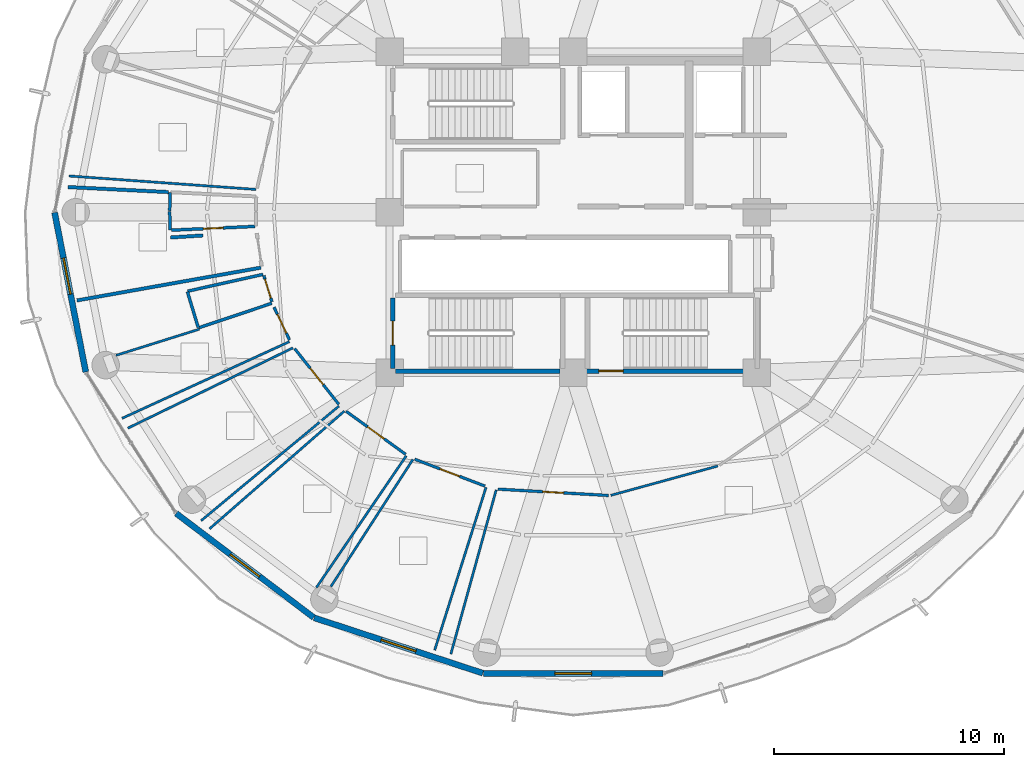
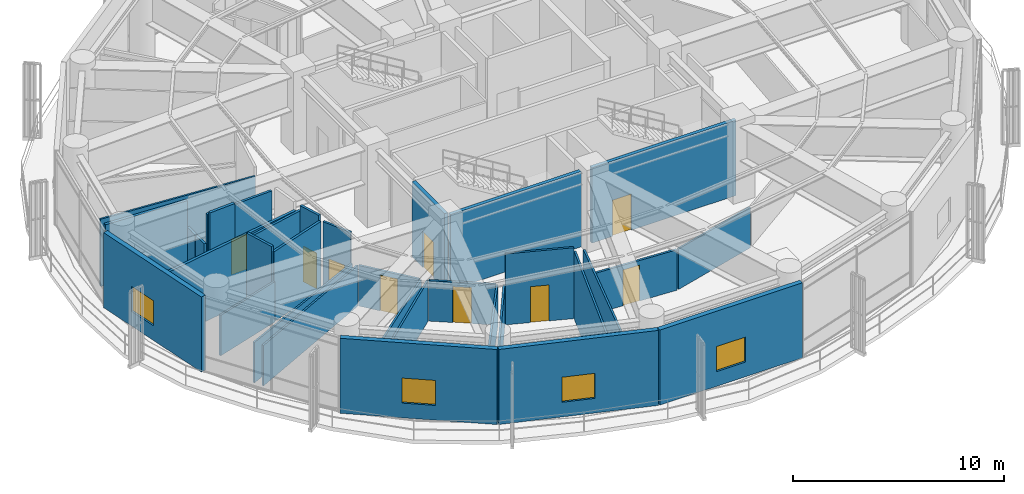
# One storey, part 21 of 28: 33 walls, 9 doors, 4 windows, 13 openings.
"""IFC4 building model written with IfcOpenShell, lengths in metres."""

from ifc_helpers import new_model, si_unit, direction, frame, frame_2d, origin, place, context, subcontext, project, spatial, rectangle, extrude, material, layer, layer_set, type_object, element, fill, save


model = new_model("IFC4")

# Units and contexts
model_context = context("Model", 3, precision=1e-05, world=origin(), true_north=direction((0.0, 1.0)))
body_context = subcontext(model_context, "Body", "Model", "MODEL_VIEW")
ifc_project = project(units=[si_unit("LENGTHUNIT", "METRE"), si_unit("AREAUNIT", "SQUARE_METRE"), si_unit("VOLUMEUNIT", "CUBIC_METRE"), si_unit("PLANEANGLEUNIT", "RADIAN"), si_unit("MASSUNIT", "GRAM", prefix="KILO")], contexts=[model_context])

# Site, building, storey
site_placement = place(None, origin())
site = spatial("IfcSite", under=ifc_project, at=site_placement, CompositionType="ELEMENT")
building_placement = place(site_placement, origin())
building = spatial("IfcBuilding", under=site, at=building_placement, Name="Kelanora Arch Commons", CompositionType="ELEMENT")
storey_placement = place(building_placement, frame((0.0, 0.0, 184.35009765625)))
storey = spatial("IfcBuildingStorey", under=building, at=storey_placement, Name="L47", CompositionType="ELEMENT", Elevation=184.35009765625)

# Walls
ifc_material_1 = material(Name="Autoclaved aerated concrete blockwork with fire plaster", Category="masonry")
ifc_layer_1 = layer(ifc_material_1, 0.14990234375)
ifc_layer_set_1 = layer_set([ifc_layer_1], Name="Autoclaved aerated concrete blockwork with fire plaster")
wall_type_1 = type_object("IfcWallType", Name="W-COMP-150", PredefinedType="PARTITIONING", material=ifc_layer_set_1)
wall_1_placement = place(storey_placement, frame((60.392578125, 55.5859375, 0.0), z_axis=(0.0, 0.0, 1.0), x_axis=(-0.984476835755, -0.175514557407, 0.0)))
element("IfcWall", 1, at=wall_1_placement, inside=storey, type_object=wall_type_1, Name="Co-Living Studio L47-05 Enclosure Partition 2", PredefinedType="PARTITIONING", context=body_context, shape_type="SweptSolid", body=[
    extrude(rectangle(XDim=8.1416015625, YDim=0.14990234375, at=frame_2d((4.07080078125, 0.0))), origin(), (0.0, 0.0, 1.0), 3.89501953125),
])
wall_2_placement = place(storey_placement, frame((51.993896484375, 59.095947265625, 0.0), z_axis=(0.0, 0.0, 1.0), x_axis=(0.998756789481, -0.049848525207, 0.0)))
element("IfcWall", 2, at=wall_2_placement, inside=storey, type_object=wall_type_1, Name="Co-Living Studio L47-05 Enclosure Partition 5", PredefinedType="PARTITIONING", context=body_context, shape_type="SweptSolid", body=[
    extrude(rectangle(XDim=4.37353515625, YDim=0.14990234375, at=frame_2d((2.186767578125, 0.0))), origin(), (0.0, 0.0, 1.0), 3.89501953125),
])
wall_3_placement = place(storey_placement, frame((56.4580078125, 56.8994140625, 0.0), z_axis=(0.0, 0.0, 1.0), x_axis=(0.998023505666, 0.062841722907, 0.0)))
element("IfcWall", 3, at=wall_3_placement, inside=storey, type_object=wall_type_1, Name="Co-Living Studio L47-05 Enclosure Partition 7", PredefinedType="PARTITIONING", context=body_context, shape_type="SweptSolid", body=[
    extrude(rectangle(XDim=1.41015625, YDim=0.14990234375, at=frame_2d((0.705078125, 0.0))), origin(), (0.0, 0.0, 1.0), 4.349853515625),
])

# Wall, opening, window
ifc_material_2 = material(Name="Precast concrete C40/50 with terracotta rainscreen", Category="masonry")
ifc_layer_2 = layer(ifc_material_2, 0.260009765625)
ifc_layer_set_2 = layer_set([ifc_layer_2], Name="Precast concrete C40/50 with terracotta rainscreen")
wall_type_2 = type_object("IfcWallType", Name="W-EXT-TC", PredefinedType="SOLIDWALL", material=ifc_layer_set_2)
wall_4_placement = place(storey_placement, frame((51.40283203125, 57.9853515625, 0.0), z_axis=(0.0, 0.0, 1.0), x_axis=(0.191716984769, -0.981450252306, 0.0)))
wall_4 = element("IfcWall", 4, at=wall_4_placement, inside=storey, type_object=wall_type_2, Name="Terracotta Exterior Wall L47-B09", PredefinedType="SOLIDWALL", context=body_context, shape_type="SweptSolid", body=[
    extrude(rectangle(XDim=7.0791015625, YDim=0.260009765625, at=frame_2d((3.53955078125, 0.0))), origin(), (0.0, 0.0, 1.0), 4.344970703125),
])
opening_1_placement = place(wall_4_placement, frame((2.02001953125, 0.0, 0.85009765625)))
opening_1 = element("IfcOpeningElement", 5, at=opening_1_placement, cuts=wall_4, Name="Opening WN-01", PredefinedType="OPENING", context=body_context, shape_type="SweptSolid", body=[
    extrude(rectangle(XDim=1.60009765625, YDim=1.449951171875, at=frame_2d((0.800048828125, 0.72509765625))), frame((0.0, 0.14013671875, 0.0), z_axis=(0.0, -1.0, 0.0), x_axis=(1.0, 0.0, 0.0)), (0.0, 0.0, 1.0), 0.280029296875),
])
ifc_material_3 = material(Name="Terracotta-anodised aluminium frame with operable low-E glazing", Category="masonry")
window_type = type_object("IfcWindowType", Name="WIN-CL-18", PartitioningType="DOUBLE_PANEL_VERTICAL", PredefinedType="WINDOW", material=ifc_material_3)
window_1_placement = place(opening_1_placement, origin())
window_1 = element("IfcWindow", 6, at=window_1_placement, inside=storey, type_object=window_type, Name="Co-Living Operable Window L47-B09", OverallHeight=1.449951171875, OverallWidth=1.60009765625, PartitioningType="SINGLE_PANEL", PredefinedType="WINDOW", context=body_context, shape_type="SweptSolid", body=[
    extrude(rectangle(XDim=1.60009765625, YDim=1.449951171875, at=frame_2d((0.800048828125, 0.72509765625))), frame((0.0, 0.030029296875, 0.0), z_axis=(0.0, -1.0, 0.0), x_axis=(1.0, 0.0, 0.0)), (0.0, 0.0, 1.0), 0.06005859375),
])
fill(opening_1, window_1)

wall_5_placement = place(storey_placement, frame((56.699462890625, 44.8779296875, 0.0), z_axis=(0.0, 0.0, 1.0), x_axis=(0.797163719609, -0.603763202042, 0.0)))
wall_5 = element("IfcWall", 7, at=wall_5_placement, inside=storey, type_object=wall_type_2, Name="Terracotta Exterior Wall L47-B11", PredefinedType="SOLIDWALL", context=body_context, shape_type="SweptSolid", body=[
    extrude(rectangle(XDim=7.51220703125, YDim=0.260009765625, at=frame_2d((3.756103515625, 0.0))), origin(), (0.0, 0.0, 1.0), 4.344970703125),
])
opening_2_placement = place(wall_5_placement, frame((2.9560546875, 0.0, 0.85009765625)))
opening_2 = element("IfcOpeningElement", 8, at=opening_2_placement, cuts=wall_5, Name="Opening WN-01", PredefinedType="OPENING", context=body_context, shape_type="SweptSolid", body=[
    extrude(rectangle(XDim=1.60009765625, YDim=1.449951171875, at=frame_2d((0.800048828125, 0.72509765625))), frame((0.0, 0.14013671875, 0.0), z_axis=(0.0, -1.0, 0.0), x_axis=(1.0, 0.0, 0.0)), (0.0, 0.0, 1.0), 0.280029296875),
])
window_2_placement = place(opening_2_placement, origin())
window_2 = element("IfcWindow", 9, at=window_2_placement, inside=storey, type_object=window_type, Name="Co-Living Operable Window L47-B11", OverallHeight=1.449951171875, OverallWidth=1.60009765625, PartitioningType="SINGLE_PANEL", PredefinedType="WINDOW", context=body_context, shape_type="SweptSolid", body=[
    extrude(rectangle(XDim=1.60009765625, YDim=1.449951171875, at=frame_2d((0.800048828125, 0.72509765625))), frame((0.0, 0.030029296875, 0.0), z_axis=(0.0, -1.0, 0.0), x_axis=(1.0, 0.0, 0.0)), (0.0, 0.0, 1.0), 0.06005859375),
])
fill(opening_2, window_2)

wall_6_placement = place(storey_placement, frame((62.71435546875, 40.328369140625, 0.0), z_axis=(0.0, 0.0, 1.0), x_axis=(0.950038302428, -0.312133343173, 0.0)))
wall_6 = element("IfcWall", 10, at=wall_6_placement, inside=storey, type_object=wall_type_2, Name="Terracotta Exterior Wall L47-B12", PredefinedType="SOLIDWALL", context=body_context, shape_type="SweptSolid", body=[
    extrude(rectangle(XDim=7.7333984375, YDim=0.260009765625, at=frame_2d((3.86669921875, 0.0))), origin(), (0.0, 0.0, 1.0), 4.344970703125),
])
opening_3_placement = place(wall_6_placement, frame((3.06689453125, 0.0, 0.85009765625)))
opening_3 = element("IfcOpeningElement", 11, at=opening_3_placement, cuts=wall_6, Name="Opening WN-01", PredefinedType="OPENING", context=body_context, shape_type="SweptSolid", body=[
    extrude(rectangle(XDim=1.60009765625, YDim=1.449951171875, at=frame_2d((0.800048828125, 0.72509765625))), frame((0.0, 0.14013671875, 0.0), z_axis=(0.0, -1.0, 0.0), x_axis=(1.0, 0.0, 0.0)), (0.0, 0.0, 1.0), 0.280029296875),
])
window_3_placement = place(opening_3_placement, origin())
window_3 = element("IfcWindow", 12, at=window_3_placement, inside=storey, type_object=window_type, Name="Co-Living Operable Window L47-B12", OverallHeight=1.449951171875, OverallWidth=1.60009765625, PartitioningType="SINGLE_PANEL", PredefinedType="WINDOW", context=body_context, shape_type="SweptSolid", body=[
    extrude(rectangle(XDim=1.60009765625, YDim=1.449951171875, at=frame_2d((0.800048828125, 0.72509765625))), frame((0.0, 0.030029296875, 0.0), z_axis=(0.0, -1.0, 0.0), x_axis=(1.0, 0.0, 0.0)), (0.0, 0.0, 1.0), 0.06005859375),
])
fill(opening_3, window_3)

wall_7_placement = place(storey_placement, frame((70.090576171875, 37.909912109375, 0.0), z_axis=(0.0, 0.0, 1.0), x_axis=(1.0, 0.0, 0.0)))
wall_7 = element("IfcWall", 13, at=wall_7_placement, inside=storey, type_object=wall_type_2, Name="Terracotta Exterior Wall L47-B13", PredefinedType="SOLIDWALL", context=body_context, shape_type="SweptSolid", body=[
    extrude(rectangle(XDim=7.81884765625, YDim=0.260009765625, at=frame_2d((3.909423828125, 0.0))), origin(), (0.0, 0.0, 1.0), 4.344970703125),
])
opening_4_placement = place(wall_7_placement, frame((3.10888671875, 0.0, 0.85009765625)))
opening_4 = element("IfcOpeningElement", 14, at=opening_4_placement, cuts=wall_7, Name="Opening WN-01", PredefinedType="OPENING", context=body_context, shape_type="SweptSolid", body=[
    extrude(rectangle(XDim=1.60009765625, YDim=1.449951171875, at=frame_2d((0.800048828125, 0.72509765625))), frame((0.0, 0.14013671875, 0.0), z_axis=(0.0, -1.0, 0.0), x_axis=(1.0, 0.0, 0.0)), (0.0, 0.0, 1.0), 0.280029296875),
])
window_4_placement = place(opening_4_placement, origin())
window_4 = element("IfcWindow", 15, at=window_4_placement, inside=storey, type_object=window_type, Name="Co-Living Operable Window L47-B13", OverallHeight=1.449951171875, OverallWidth=1.60009765625, PartitioningType="SINGLE_PANEL", PredefinedType="WINDOW", context=body_context, shape_type="SweptSolid", body=[
    extrude(rectangle(XDim=1.60009765625, YDim=1.449951171875, at=frame_2d((0.800048828125, 0.72509765625))), frame((0.0, 0.030029296875, 0.0), z_axis=(0.0, -1.0, 0.0), x_axis=(1.0, 0.0, 0.0)), (0.0, 0.0, 1.0), 0.06005859375),
])
fill(opening_4, window_4)

# Walls
ifc_material_4 = material(Name="Lightweight fire-rated acoustic stud partition")
ifc_layer_3 = layer(ifc_material_4, 0.10009765625)
ifc_layer_set_3 = layer_set([ifc_layer_3], Name="Lightweight fire-rated acoustic stud partition")
wall_type_3 = type_object("IfcWallType", Name="W-PART-100", PredefinedType="PARTITIONING", material=ifc_layer_set_3)
wall_8_placement = place(storey_placement, frame((75.640625, 45.66455078125, 0.0), z_axis=(0.0, 0.0, 1.0), x_axis=(0.964402925862, 0.264437131637, 0.0)))
element("IfcWall", 16, at=wall_8_placement, inside=storey, type_object=wall_type_3, Name="South-East Social Sky Lounge L47 Enclosure Partition 2", PredefinedType="PARTITIONING", context=body_context, shape_type="SweptSolid", body=[
    extrude(rectangle(XDim=4.8359375, YDim=0.10009765625, at=frame_2d((2.41796875, 0.0))), origin(), (0.0, 0.0, 1.0), 2.344970703125),
])
wall_9_placement = place(storey_placement, frame((68.668701171875, 38.74951171875, 0.0), z_axis=(0.0, 0.0, 1.0), x_axis=(0.26617364863, 0.963925095002, 0.0)))
element("IfcWall", 17, at=wall_9_placement, inside=storey, type_object=wall_type_3, Name="South-East Social Sky Lounge L47 Enclosure Partition 10", PredefinedType="PARTITIONING", context=body_context, shape_type="SweptSolid", body=[
    extrude(rectangle(XDim=7.41845703125, YDim=0.10009765625, at=frame_2d((3.709228515625, 0.0))), origin(), (0.0, 0.0, 1.0), 3.89501953125),
])
wall_10_placement = place(storey_placement, frame((60.174072265625, 58.992919921875, 0.0), z_axis=(0.0, 0.0, 1.0), x_axis=(-0.997411279475, 0.071907854766, 0.0)))
element("IfcWall", 18, at=wall_10_placement, inside=storey, type_object=wall_type_3, Name="Social Sky Lounge L47-04 Enclosure Partition 2", PredefinedType="PARTITIONING", context=body_context, shape_type="SweptSolid", body=[
    extrude(rectangle(XDim=8.16552734375, YDim=0.10009765625, at=frame_2d((4.082763671875, 0.0))), origin(), (0.0, 0.0, 1.0), 3.89501953125),
])
wall_11_placement = place(storey_placement, frame((61.629638671875, 52.359375, 0.0), z_axis=(0.0, 0.0, 1.0), x_axis=(-0.909155211227, -0.416457443083, 0.0)))
element("IfcWall", 19, at=wall_11_placement, inside=storey, type_object=wall_type_3, Name="Tutorial Study Alcove L47-06 Enclosure Partition 2", PredefinedType="PARTITIONING", context=body_context, shape_type="SweptSolid", body=[
    extrude(rectangle(XDim=8.011962890625, YDim=0.10009765625, at=frame_2d((4.005859375, 0.0))), origin(), (0.0, 0.0, 1.0), 2.344970703125),
])
wall_12_placement = place(storey_placement, frame((54.082763671875, 51.765380859375, 0.0), z_axis=(0.0, 0.0, 1.0), x_axis=(0.954047805858, 0.299654441212, 0.0)))
element("IfcWall", 20, at=wall_12_placement, inside=storey, type_object=wall_type_3, Name="Tutorial Study Alcove L47-06 Enclosure Partition 4", PredefinedType="PARTITIONING", context=body_context, shape_type="SweptSolid", body=[
    extrude(rectangle(XDim=3.79833984375, YDim=0.10009765625, at=frame_2d((1.899169921875, 0.0))), origin(), (0.0, 0.0, 1.0), 2.344970703125),
])
wall_13_placement = place(storey_placement, frame((63.794189453125, 49.555419921875, 0.0), z_axis=(0.0, 0.0, 1.0), x_axis=(-0.768927769446, -0.639335659396, 0.0)))
element("IfcWall", 21, at=wall_13_placement, inside=storey, type_object=wall_type_3, Name="Quiet Seminar Study Room L47-07 Enclosure Partition 2", PredefinedType="PARTITIONING", context=body_context, shape_type="SweptSolid", body=[
    extrude(rectangle(XDim=7.8125, YDim=0.10009765625, at=frame_2d((3.90625, 0.0))), origin(), (0.0, 0.0, 1.0), 2.344970703125),
])
wall_14_placement = place(storey_placement, frame((54.594970703125, 48.592529296875, 0.0), z_axis=(0.0, 0.0, 1.0), x_axis=(0.899324003441, 0.437282902518, 0.0)))
element("IfcWall", 22, at=wall_14_placement, inside=storey, type_object=wall_type_3, Name="Quiet Seminar Study Room L47-07 Enclosure Partition 4", PredefinedType="PARTITIONING", context=body_context, shape_type="SweptSolid", body=[
    extrude(rectangle(XDim=7.997314453125, YDim=0.10009765625, at=frame_2d((3.99853515625, 0.0))), origin(), (0.0, 0.0, 1.0), 2.344970703125),
])
wall_15_placement = place(storey_placement, frame((66.723388671875, 47.384033203125, 0.0), z_axis=(0.0, 0.0, 1.0), x_axis=(-0.563521193737, -0.826101606468, 0.0)))
element("IfcWall", 23, at=wall_15_placement, inside=storey, type_object=wall_type_3, Name="Shared Cluster Kitchen L47-08 Enclosure Partition 2", PredefinedType="PARTITIONING", context=body_context, shape_type="SweptSolid", body=[
    extrude(rectangle(XDim=6.943603515625, YDim=0.10009765625, at=frame_2d((3.4716796875, 0.0))), origin(), (0.0, 0.0, 1.0), 2.344970703125),
])
wall_16_placement = place(storey_placement, frame((58.156005859375, 44.208251953125, 0.0), z_axis=(0.0, 0.0, 1.0), x_axis=(0.753307828271, 0.657668089438, 0.0)))
element("IfcWall", 24, at=wall_16_placement, inside=storey, type_object=wall_type_3, Name="Shared Cluster Kitchen L47-08 Enclosure Partition 4", PredefinedType="PARTITIONING", context=body_context, shape_type="SweptSolid", body=[
    extrude(rectangle(XDim=7.79345703125, YDim=0.10009765625, at=frame_2d((3.896728515625, 0.0))), origin(), (0.0, 0.0, 1.0), 2.344970703125),
])
wall_17_placement = place(storey_placement, frame((70.198974609375, 46.0078125, 0.0), z_axis=(0.0, 0.0, 1.0), x_axis=(-0.300834252316, -0.953676440222, 0.0)))
element("IfcWall", 25, at=wall_17_placement, inside=storey, type_object=wall_type_3, Name="Social Sky Lounge L47-09 Enclosure Partition 2", PredefinedType="PARTITIONING", context=body_context, shape_type="SweptSolid", body=[
    extrude(rectangle(XDim=7.432861328125, YDim=0.10009765625, at=frame_2d((3.71630859375, 0.0))), origin(), (0.0, 0.0, 1.0), 3.89501953125),
])
wall_18_placement = place(storey_placement, frame((63.43994140625, 41.688720703125, 0.0), z_axis=(0.0, 0.0, 1.0), x_axis=(0.542254246964, 0.840214455749, 0.0)))
element("IfcWall", 26, at=wall_18_placement, inside=storey, type_object=wall_type_3, Name="Social Sky Lounge L47-09 Enclosure Partition 4", PredefinedType="PARTITIONING", context=body_context, shape_type="SweptSolid", body=[
    extrude(rectangle(XDim=6.591796875, YDim=0.10009765625, at=frame_2d((3.2958984375, 0.0))), origin(), (0.0, 0.0, 1.0), 2.344970703125),
])

# Wall, opening, door
ifc_material_5 = material(Name="Acoustic twin-stud fire-rated gypsum partition")
ifc_layer_4 = layer(ifc_material_5, 0.1201171875)
ifc_layer_set_4 = layer_set([ifc_layer_4], Name="Acoustic twin-stud fire-rated gypsum partition")
wall_type_4 = type_object("IfcWallType", Name="W-PART-120", PredefinedType="PARTITIONING", material=ifc_layer_set_4)
wall_19_placement = place(storey_placement, frame((70.7138671875, 45.935546875, 0.0), z_axis=(0.0, 0.0, 1.0), x_axis=(0.998345519296, -0.057499774802, 0.0)))
wall_19 = element("IfcWall", 27, at=wall_19_placement, inside=storey, type_object=wall_type_4, Name="South-East Social Sky Lounge L47 Entry Partition", PredefinedType="PARTITIONING", context=body_context, shape_type="SweptSolid", body=[
    extrude(rectangle(XDim=4.836181640625, YDim=0.1201171875, at=frame_2d((2.41796875, 0.0))), origin(), (0.0, 0.0, 1.0), 2.344970703125),
])
opening_5_placement = place(wall_19_placement, frame((1.968017578125, 0.0, 0.0)))
opening_5 = element("IfcOpeningElement", 28, at=opening_5_placement, cuts=wall_19, Name="Opening D-RM1", PredefinedType="OPENING", context=body_context, shape_type="SweptSolid", body=[
    extrude(rectangle(XDim=0.89990234375, YDim=2.080078125, at=frame_2d((0.449951171875, 1.0400390625))), frame((0.0, 0.070068359375, 0.0), z_axis=(0.0, -1.0, 0.0), x_axis=(1.0, 0.0, 0.0)), (0.0, 0.0, 1.0), 0.14013671875),
])
ifc_material_6 = material(Name="Acoustic fire-rated timber study and lounge door", Category="wood")
door_type_1 = type_object("IfcDoorType", Name="D-ROOM-90", OperationType="NOTDEFINED", PredefinedType="DOOR", material=ifc_material_6)
door_1_placement = place(opening_5_placement, origin())
door_1 = element("IfcDoor", 29, at=door_1_placement, inside=storey, type_object=door_type_1, Name="South-East Social Sky Lounge L47 Door", OperationType="SINGLE_SWING_LEFT", OverallHeight=2.080078125, OverallWidth=0.89990234375, PredefinedType="DOOR", context=body_context, shape_type="SweptSolid", body=[
    extrude(rectangle(XDim=0.89990234375, YDim=2.080078125, at=frame_2d((0.449951171875, 1.0400390625))), frame((0.0, 0.02490234375, 0.0), z_axis=(0.0, -1.0, 0.0), x_axis=(1.0, 0.0, 0.0)), (0.0, 0.0, 1.0), 0.050048828125),
])
fill(opening_5, door_1)

wall_20_placement = place(storey_placement, frame((60.962646484375, 53.86376953125, 0.0), z_axis=(0.0, 0.0, 1.0), x_axis=(0.427397920828, -0.904063613509, 0.0)))
wall_20 = element("IfcWall", 30, at=wall_20_placement, inside=storey, type_object=wall_type_4, Name="Tutorial Study Alcove L47-06 Entry Partition", PredefinedType="PARTITIONING", context=body_context, shape_type="SweptSolid", body=[
    extrude(rectangle(XDim=1.585693359375, YDim=0.1201171875, at=frame_2d((0.79296875, 0.0))), origin(), (0.0, 0.0, 1.0), 4.10498046875),
])
opening_6_placement = place(wall_20_placement, frame((0.343017578125, 0.0, 0.0)))
opening_6 = element("IfcOpeningElement", 31, at=opening_6_placement, cuts=wall_20, Name="Opening D-RM1", PredefinedType="OPENING", context=body_context, shape_type="SweptSolid", body=[
    extrude(rectangle(XDim=0.89990234375, YDim=2.080078125, at=frame_2d((0.449951171875, 1.0400390625))), frame((0.0, 0.070068359375, 0.0), z_axis=(0.0, -1.0, 0.0), x_axis=(1.0, 0.0, 0.0)), (0.0, 0.0, 1.0), 0.14013671875),
])
door_2_placement = place(opening_6_placement, origin())
door_2 = element("IfcDoor", 32, at=door_2_placement, inside=storey, type_object=door_type_1, Name="Tutorial Study Alcove L47-06 Door", OperationType="SINGLE_SWING_LEFT", OverallHeight=2.080078125, OverallWidth=0.89990234375, PredefinedType="DOOR", context=body_context, shape_type="SweptSolid", body=[
    extrude(rectangle(XDim=0.89990234375, YDim=2.080078125, at=frame_2d((0.449951171875, 1.0400390625))), frame((0.0, 0.02490234375, 0.0), z_axis=(0.0, -1.0, 0.0), x_axis=(1.0, 0.0, 0.0)), (0.0, 0.0, 1.0), 0.050048828125),
])
fill(opening_6, door_2)

wall_21_placement = place(storey_placement, frame((61.8603515625, 52.06005859375, 0.0), z_axis=(0.0, 0.0, 1.0), x_axis=(0.621061577605, -0.783761773005, 0.0)))
wall_21 = element("IfcWall", 33, at=wall_21_placement, inside=storey, type_object=wall_type_4, Name="Quiet Seminar Study Room L47-07 Entry Partition", PredefinedType="PARTITIONING", context=body_context, shape_type="SweptSolid", body=[
    extrude(rectangle(XDim=3.10302734375, YDim=0.1201171875, at=frame_2d((1.551513671875, 0.0))), origin(), (0.0, 0.0, 1.0), 2.344970703125),
])
opening_7_placement = place(wall_21_placement, frame((1.10205078125, 0.0, 0.0)))
opening_7 = element("IfcOpeningElement", 34, at=opening_7_placement, cuts=wall_21, Name="Opening D-RM1", PredefinedType="OPENING", context=body_context, shape_type="SweptSolid", body=[
    extrude(rectangle(XDim=0.89990234375, YDim=2.080078125, at=frame_2d((0.449951171875, 1.0400390625))), frame((0.0, 0.070068359375, 0.0), z_axis=(0.0, -1.0, 0.0), x_axis=(1.0, 0.0, 0.0)), (0.0, 0.0, 1.0), 0.14013671875),
])
door_3_placement = place(opening_7_placement, origin())
door_3 = element("IfcDoor", 35, at=door_3_placement, inside=storey, type_object=door_type_1, Name="Quiet Seminar Study Room L47-07 Door", OperationType="SINGLE_SWING_RIGHT", OverallHeight=2.080078125, OverallWidth=0.89990234375, PredefinedType="DOOR", context=body_context, shape_type="SweptSolid", body=[
    extrude(rectangle(XDim=0.89990234375, YDim=2.080078125, at=frame_2d((0.449951171875, 1.0400390625))), frame((0.0, 0.02490234375, 0.0), z_axis=(0.0, -1.0, 0.0), x_axis=(1.0, 0.0, 0.0)), (0.0, 0.0, 1.0), 0.050048828125),
])
fill(opening_7, door_3)

wall_22_placement = place(storey_placement, frame((64.105712890625, 49.324951171875, 0.0), z_axis=(0.0, 0.0, 1.0), x_axis=(0.810538273734, -0.585685672364, 0.0)))
wall_22 = element("IfcWall", 36, at=wall_22_placement, inside=storey, type_object=wall_type_4, Name="Shared Cluster Kitchen L47-08 Entry Partition", PredefinedType="PARTITIONING", context=body_context, shape_type="SweptSolid", body=[
    extrude(rectangle(XDim=3.197509765625, YDim=0.1201171875, at=frame_2d((1.5986328125, 0.0))), origin(), (0.0, 0.0, 1.0), 2.344970703125),
])
opening_8_placement = place(wall_22_placement, frame((1.14892578125, 0.0, 0.0)))
opening_8 = element("IfcOpeningElement", 37, at=opening_8_placement, cuts=wall_22, Name="Opening D-RM1", PredefinedType="OPENING", context=body_context, shape_type="SweptSolid", body=[
    extrude(rectangle(XDim=0.89990234375, YDim=2.080078125, at=frame_2d((0.449951171875, 1.0400390625))), frame((0.0, 0.070068359375, 0.0), z_axis=(0.0, -1.0, 0.0), x_axis=(1.0, 0.0, 0.0)), (0.0, 0.0, 1.0), 0.14013671875),
])
door_4_placement = place(opening_8_placement, origin())
door_4 = element("IfcDoor", 38, at=door_4_placement, inside=storey, type_object=door_type_1, Name="Shared Cluster Kitchen L47-08 Door", OperationType="SINGLE_SWING_LEFT", OverallHeight=2.080078125, OverallWidth=0.89990234375, PredefinedType="DOOR", context=body_context, shape_type="SweptSolid", body=[
    extrude(rectangle(XDim=0.89990234375, YDim=2.080078125, at=frame_2d((0.449951171875, 1.0400390625))), frame((0.0, 0.02490234375, 0.0), z_axis=(0.0, -1.0, 0.0), x_axis=(1.0, 0.0, 0.0)), (0.0, 0.0, 1.0), 0.050048828125),
])
fill(opening_8, door_4)

wall_23_placement = place(storey_placement, frame((67.092041015625, 47.239501953125, 0.0), z_axis=(0.0, 0.0, 1.0), x_axis=(0.93395246748, -0.35739724186, 0.0)))
wall_23 = element("IfcWall", 39, at=wall_23_placement, inside=storey, type_object=wall_type_4, Name="Social Sky Lounge L47-09 Entry Partition", PredefinedType="PARTITIONING", context=body_context, shape_type="SweptSolid", body=[
    extrude(rectangle(XDim=3.279541015625, YDim=0.1201171875, at=frame_2d((1.6396484375, 0.0))), origin(), (0.0, 0.0, 1.0), 4.10498046875),
])
opening_9_placement = place(wall_23_placement, frame((1.18994140625, 0.0, 0.0)))
opening_9 = element("IfcOpeningElement", 40, at=opening_9_placement, cuts=wall_23, Name="Opening D-RM1", PredefinedType="OPENING", context=body_context, shape_type="SweptSolid", body=[
    extrude(rectangle(XDim=0.89990234375, YDim=2.080078125, at=frame_2d((0.449951171875, 1.0400390625))), frame((0.0, 0.070068359375, 0.0), z_axis=(0.0, -1.0, 0.0), x_axis=(1.0, 0.0, 0.0)), (0.0, 0.0, 1.0), 0.14013671875),
])
door_5_placement = place(opening_9_placement, origin())
door_5 = element("IfcDoor", 41, at=door_5_placement, inside=storey, type_object=door_type_1, Name="Social Sky Lounge L47-09 Door", OperationType="SINGLE_SWING_RIGHT", OverallHeight=2.080078125, OverallWidth=0.89990234375, PredefinedType="DOOR", context=body_context, shape_type="SweptSolid", body=[
    extrude(rectangle(XDim=0.89990234375, YDim=2.080078125, at=frame_2d((0.449951171875, 1.0400390625))), frame((0.0, 0.02490234375, 0.0), z_axis=(0.0, -1.0, 0.0), x_axis=(1.0, 0.0, 0.0)), (0.0, 0.0, 1.0), 0.050048828125),
])
fill(opening_9, door_5)

ifc_material_7 = material(Name="Concrete C40/50", Category="concrete")
ifc_layer_5 = layer(ifc_material_7, 0.199951171875)
ifc_layer_set_5 = layer_set([ifc_layer_5], Name="Concrete C40/50")
wall_type_5 = type_object("IfcWallType", Name="W-STAIR-200", PredefinedType="SHEAR", material=ifc_layer_set_5)
wall_24_placement = place(storey_placement, frame((74.0, 51.080078125, 0.0), z_axis=(0.0, 0.0, 1.0), x_axis=(1.0, 0.0, 0.0)))
wall_24 = element("IfcWall", 42, at=wall_24_placement, inside=storey, type_object=wall_type_5, Name="Stair ST-T2 Shaft Wall S L47", PredefinedType="SHEAR", context=body_context, shape_type="SweptSolid", body=[
    extrude(rectangle(XDim=7.89990234375, YDim=0.199951171875, at=frame_2d((3.949951171875, 0.0))), origin(), (0.0, 0.0, 1.0), 4.35986328125),
])
opening_10_placement = place(wall_24_placement, frame((1.1201171875, 0.0, 0.0)))
opening_10 = element("IfcOpeningElement", 43, at=opening_10_placement, cuts=wall_24, Name="Opening D-ST1", PredefinedType="OPENING", context=body_context, shape_type="SweptSolid", body=[
    extrude(rectangle(XDim=1.050048828125, YDim=2.10009765625, at=frame_2d((0.52490234375, 1.050048828125))), frame((0.0, 0.10986328125, 0.0), z_axis=(0.0, -1.0, 0.0), x_axis=(1.0, 0.0, 0.0)), (0.0, 0.0, 1.0), 0.219970703125),
])
ifc_material_8 = material(Name="Steel fire-rated stairwell escape door", Category="steel")
door_type_2 = type_object("IfcDoorType", Name="D-STAIR-110", OperationType="NOTDEFINED", PredefinedType="DOOR", material=ifc_material_8)
door_6_placement = place(opening_10_placement, origin())
door_6 = element("IfcDoor", 44, at=door_6_placement, inside=storey, type_object=door_type_2, Name="Stair ST-T2 Escape Door L47", OperationType="SINGLE_SWING_LEFT", OverallHeight=2.10009765625, OverallWidth=1.050048828125, PredefinedType="DOOR", context=body_context, shape_type="SweptSolid", body=[
    extrude(rectangle(XDim=1.050048828125, YDim=2.10009765625, at=frame_2d((0.52490234375, 1.050048828125))), frame((0.0, 0.02490234375, 0.0), z_axis=(0.0, -1.0, 0.0), x_axis=(1.0, 0.0, 0.0)), (0.0, 0.0, 1.0), 0.050048828125),
])
fill(opening_10, door_6)

# Wall
wall_25_placement = place(storey_placement, frame((66.260009765625, 51.080078125, 0.0), z_axis=(0.0, 0.0, 1.0), x_axis=(1.0, 0.0, 0.0)))
element("IfcWall", 45, at=wall_25_placement, inside=storey, type_object=wall_type_5, Name="Stair ST-T3 Shaft Wall S L47", PredefinedType="SHEAR", context=body_context, shape_type="SweptSolid", body=[
    extrude(rectangle(XDim=7.159912109375, YDim=0.199951171875, at=frame_2d((3.580078125, 0.0))), origin(), (0.0, 0.0, 1.0), 4.35986328125),
])

# Wall, opening, door
wall_26_placement = place(storey_placement, frame((66.139892578125, 54.27001953125, 0.0), z_axis=(0.0, 0.0, 1.0), x_axis=(0.0, -1.0, 0.0)))
wall_26 = element("IfcWall", 46, at=wall_26_placement, inside=storey, type_object=wall_type_5, Name="Stair ST-T3 Shaft Wall W L47", PredefinedType="SHEAR", context=body_context, shape_type="SweptSolid", body=[
    extrude(rectangle(XDim=3.070068359375, YDim=0.199951171875, at=frame_2d((1.53515625, 0.0))), origin(), (0.0, 0.0, 1.0), 4.35986328125),
])
opening_11_placement = place(wall_26_placement, frame((1.010009765625, 0.0, 0.0)))
opening_11 = element("IfcOpeningElement", 47, at=opening_11_placement, cuts=wall_26, Name="Opening D-ST1", PredefinedType="OPENING", context=body_context, shape_type="SweptSolid", body=[
    extrude(rectangle(XDim=1.050048828125, YDim=2.10009765625, at=frame_2d((0.52490234375, 1.050048828125))), frame((0.0, 0.10986328125, 0.0), z_axis=(0.0, -1.0, 0.0), x_axis=(1.0, 0.0, 0.0)), (0.0, 0.0, 1.0), 0.219970703125),
])
door_7_placement = place(opening_11_placement, origin())
door_7 = element("IfcDoor", 48, at=door_7_placement, inside=storey, type_object=door_type_2, Name="Stair ST-T3 Escape Door L47", OperationType="SINGLE_SWING_LEFT", OverallHeight=2.10009765625, OverallWidth=1.050048828125, PredefinedType="DOOR", context=body_context, shape_type="SweptSolid", body=[
    extrude(rectangle(XDim=1.050048828125, YDim=2.10009765625, at=frame_2d((0.52490234375, 1.050048828125))), frame((0.0, 0.02490234375, 0.0), z_axis=(0.0, -1.0, 0.0), x_axis=(1.0, 0.0, 0.0)), (0.0, 0.0, 1.0), 0.050048828125),
])
fill(opening_11, door_7)

ifc_material_9 = material(Name="Moisture-resistant fire-rated cement-board plumbing wall")
ifc_layer_6 = layer(ifc_material_9, 0.1298828125)
ifc_layer_set_6 = layer_set([ifc_layer_6], Name="Moisture-resistant fire-rated cement-board plumbing wall")
wall_type_6 = type_object("IfcWallType", Name="W-WET-120", PredefinedType="PLUMBINGWALL", material=ifc_layer_set_6)
wall_27_placement = place(storey_placement, frame((60.127197265625, 57.38134765625, 0.0), z_axis=(0.0, 0.0, 1.0), x_axis=(-0.998998516644, -0.044743309488, 0.0)))
wall_27 = element("IfcWall", 49, at=wall_27_placement, inside=storey, type_object=wall_type_6, Name="En-Suite Shower WC L47-05 Entry Partition", PredefinedType="PLUMBINGWALL", context=body_context, shape_type="SweptSolid", body=[
    extrude(rectangle(XDim=3.634033203125, YDim=0.1298828125, at=frame_2d((1.81689453125, 0.0))), origin(), (0.0, 0.0, 1.0), 4.044921875),
])
opening_12_placement = place(wall_27_placement, frame((1.386962890625, 0.0, 0.0)))
opening_12 = element("IfcOpeningElement", 50, at=opening_12_placement, cuts=wall_27, Name="Opening D-BT1", PredefinedType="OPENING", context=body_context, shape_type="SweptSolid", body=[
    extrude(rectangle(XDim=0.860107421875, YDim=2.050048828125, at=frame_2d((0.43017578125, 1.02490234375))), frame((0.0, 0.074951171875, 0.0), z_axis=(0.0, -1.0, 0.0), x_axis=(1.0, 0.0, 0.0)), (0.0, 0.0, 1.0), 0.14990234375),
])
ifc_material_10 = material(Name="Moisture-sealed fire-rated accessible bathroom door")
door_type_3 = type_object("IfcDoorType", Name="D-BATH-85", OperationType="NOTDEFINED", PredefinedType="DOOR", material=ifc_material_10)
door_8_placement = place(opening_12_placement, origin())
door_8 = element("IfcDoor", 51, at=door_8_placement, inside=storey, type_object=door_type_3, Name="En-Suite Shower WC L47-05 Door", OperationType="SINGLE_SWING_RIGHT", OverallHeight=2.050048828125, OverallWidth=0.860107421875, PredefinedType="DOOR", context=body_context, shape_type="SweptSolid", body=[
    extrude(rectangle(XDim=0.860107421875, YDim=2.050048828125, at=frame_2d((0.43017578125, 1.02490234375))), frame((0.0, 0.02490234375, 0.0), z_axis=(0.0, -1.0, 0.0), x_axis=(1.0, 0.0, 0.0)), (0.0, 0.0, 1.0), 0.050048828125),
])
fill(opening_12, door_8)

wall_28_placement = place(storey_placement, frame((60.518798828125, 55.23876953125, 0.0), z_axis=(0.0, 0.0, 1.0), x_axis=(0.296096905528, -0.955157904504, 0.0)))
wall_28 = element("IfcWall", 52, at=wall_28_placement, inside=storey, type_object=wall_type_6, Name="Accessible Shared Floor WC L47-06 Entry Partition", PredefinedType="PLUMBINGWALL", context=body_context, shape_type="SweptSolid", body=[
    extrude(rectangle(XDim=1.19384765625, YDim=0.1298828125, at=frame_2d((0.596923828125, 0.0))), origin(), (0.0, 0.0, 1.0), 4.349853515625),
])
opening_13_placement = place(wall_28_placement, frame((0.1669921875, 0.0, 0.0)))
opening_13 = element("IfcOpeningElement", 53, at=opening_13_placement, cuts=wall_28, Name="Opening D-BT1", PredefinedType="OPENING", context=body_context, shape_type="SweptSolid", body=[
    extrude(rectangle(XDim=0.860107421875, YDim=2.050048828125, at=frame_2d((0.43017578125, 1.02490234375))), frame((0.0, 0.074951171875, 0.0), z_axis=(0.0, -1.0, 0.0), x_axis=(1.0, 0.0, 0.0)), (0.0, 0.0, 1.0), 0.14990234375),
])
door_9_placement = place(opening_13_placement, origin())
door_9 = element("IfcDoor", 54, at=door_9_placement, inside=storey, type_object=door_type_3, Name="Accessible Shared Floor WC L47-06 Door", OperationType="SINGLE_SWING_RIGHT", OverallHeight=2.050048828125, OverallWidth=0.860107421875, PredefinedType="DOOR", context=body_context, shape_type="SweptSolid", body=[
    extrude(rectangle(XDim=0.860107421875, YDim=2.050048828125, at=frame_2d((0.43017578125, 1.02490234375))), frame((0.0, 0.02490234375, 0.0), z_axis=(0.0, -1.0, 0.0), x_axis=(1.0, 0.0, 0.0)), (0.0, 0.0, 1.0), 0.050048828125),
])
fill(opening_13, door_9)

# Walls
wall_29_placement = place(storey_placement, frame((56.4365234375, 57.236083984375, 0.0), z_axis=(0.0, 0.0, 1.0), x_axis=(-0.026607722643, 0.999645951873, 0.0)))
element("IfcWall", 55, at=wall_29_placement, inside=storey, type_object=wall_type_6, Name="En-Suite Shower WC L47-05 Enclosure Partition 4", PredefinedType="PLUMBINGWALL", context=body_context, shape_type="SweptSolid", body=[
    extrude(rectangle(XDim=0.7890625, YDim=0.1298828125, at=frame_2d((0.39453125, 0.0))), origin(), (0.0, 0.0, 1.0), 2.344970703125),
])
wall_30_placement = place(storey_placement, frame((56.415771484375, 58.06494140625, 0.0), z_axis=(0.0, 0.0, 1.0), x_axis=(0.03247049286, 0.999472694521, 0.0)))
element("IfcWall", 56, at=wall_30_placement, inside=storey, type_object=wall_type_6, Name="En-Suite Shower WC L47-05 Enclosure Partition 5", PredefinedType="PLUMBINGWALL", context=body_context, shape_type="SweptSolid", body=[
    extrude(rectangle(XDim=0.78955078125, YDim=0.1298828125, at=frame_2d((0.394775390625, 0.0))), origin(), (0.0, 0.0, 1.0), 2.344970703125),
])
wall_31_placement = place(storey_placement, frame((60.87109375, 54.03466796875, 0.0), z_axis=(0.0, 0.0, 1.0), x_axis=(-0.947910298115, -0.318537386704, 0.0)))
element("IfcWall", 57, at=wall_31_placement, inside=storey, type_object=wall_type_6, Name="Accessible Shared Floor WC L47-06 Enclosure Partition 2", PredefinedType="PLUMBINGWALL", context=body_context, shape_type="SweptSolid", body=[
    extrude(rectangle(XDim=3.360107421875, YDim=0.1298828125, at=frame_2d((1.68017578125, 0.0))), origin(), (0.0, 0.0, 1.0), 4.044921875),
])
wall_32_placement = place(storey_placement, frame((57.6611328125, 52.97705078125, 0.0), z_axis=(0.0, 0.0, 1.0), x_axis=(-0.289861876094, 0.957068489079, 0.0)))
element("IfcWall", 58, at=wall_32_placement, inside=storey, type_object=wall_type_6, Name="Accessible Shared Floor WC L47-06 Enclosure Partition 3", PredefinedType="PLUMBINGWALL", context=body_context, shape_type="SweptSolid", body=[
    extrude(rectangle(XDim=1.6298828125, YDim=0.1298828125, at=frame_2d((0.81494140625, 0.0))), origin(), (0.0, 0.0, 1.0), 4.349853515625),
])
wall_33_placement = place(storey_placement, frame((57.202392578125, 54.560302734375, 0.0), z_axis=(0.0, 0.0, 1.0), x_axis=(0.976027779337, 0.217645983107, 0.0)))
element("IfcWall", 59, at=wall_33_placement, inside=storey, type_object=wall_type_6, Name="Accessible Shared Floor WC L47-06 Enclosure Partition 4", PredefinedType="PLUMBINGWALL", context=body_context, shape_type="SweptSolid", body=[
    extrude(rectangle(XDim=3.359619140625, YDim=0.1298828125, at=frame_2d((1.6796875, 0.0))), origin(), (0.0, 0.0, 1.0), 4.044921875),
])

save(model, "model.ifc")
